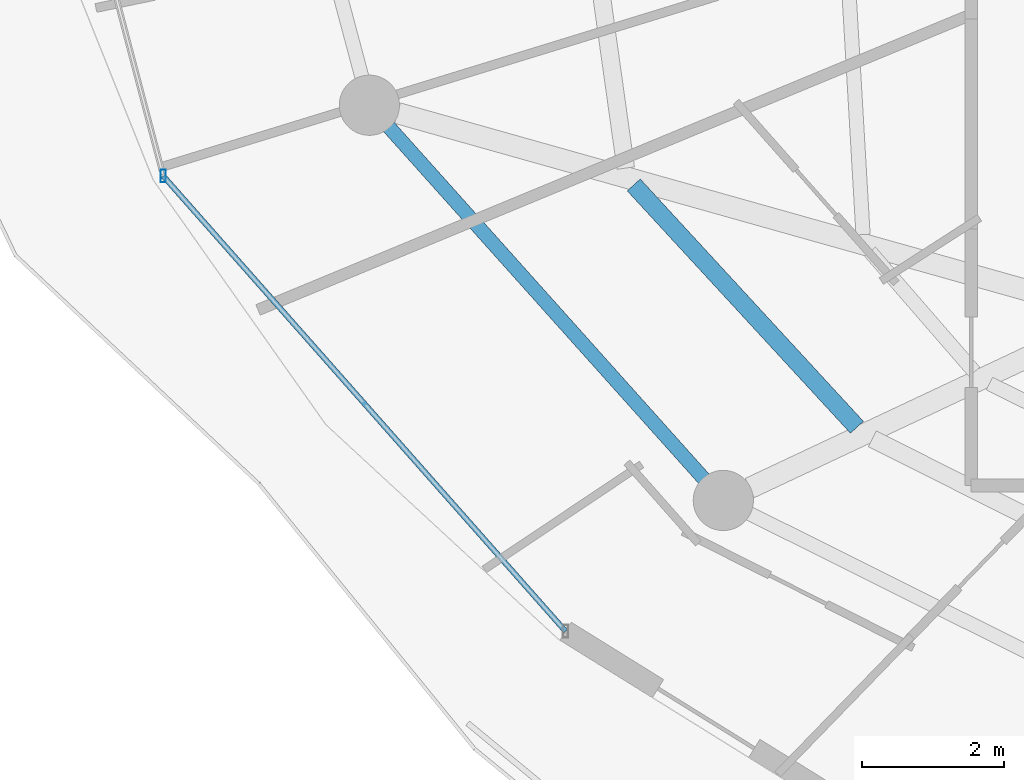
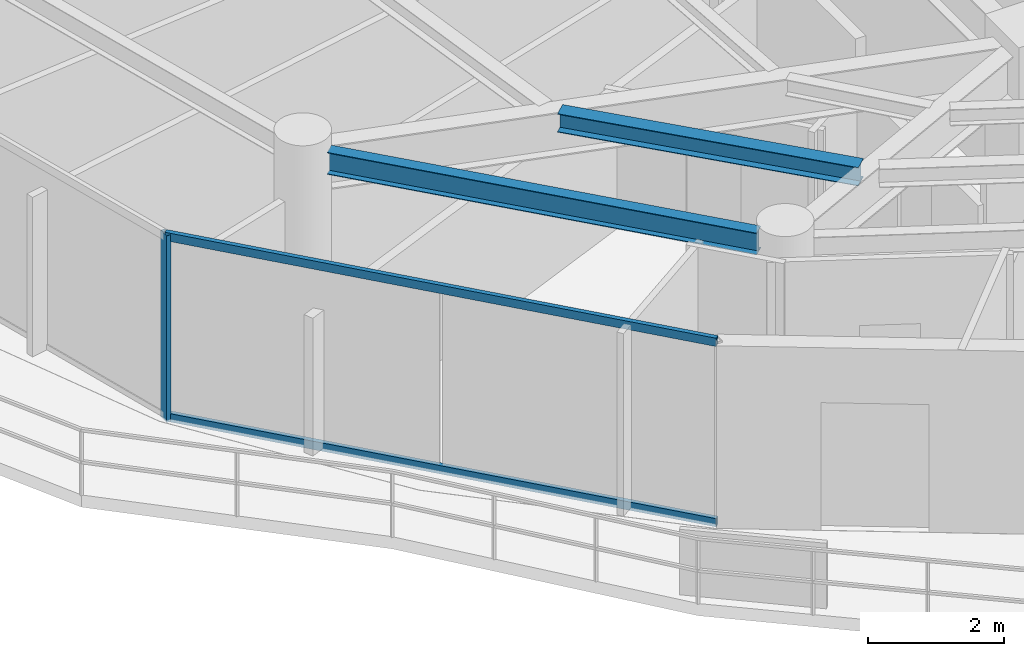
# One storey, part 3 of 32: 3 members, 2 beams, 1 element without a shape of its own.
"""IFC4 building model written with IfcOpenShell, lengths in metres."""

from ifc_helpers import new_model, si_unit, direction, frame, origin, origin_2d, place, context, subcontext, project, spatial, hollow_rectangle, i_section, extrude, material, material_profile, profile_set, type_object, element, aggregate, save


model = new_model("IFC4")

# Units and contexts
model_context = context("Model", 3, precision=1e-05, world=origin(), true_north=direction((0.0, 1.0)))
body_context = subcontext(model_context, "Body", "Model", "MODEL_VIEW")
ifc_project = project(units=[si_unit("LENGTHUNIT", "METRE"), si_unit("AREAUNIT", "SQUARE_METRE"), si_unit("VOLUMEUNIT", "CUBIC_METRE"), si_unit("PLANEANGLEUNIT", "RADIAN"), si_unit("MASSUNIT", "GRAM", prefix="KILO")], contexts=[model_context])

# Site, building, storey
site_placement = place(None, origin())
site = spatial("IfcSite", under=ifc_project, at=site_placement, CompositionType="ELEMENT")
building_placement = place(site_placement, origin())
building = spatial("IfcBuilding", under=site, at=building_placement, Name="Vorneva Point Tower", CompositionType="ELEMENT")
storey_placement = place(building_placement, frame((0.0, 0.0, 269.75)))
storey = spatial("IfcBuildingStorey", under=building, at=storey_placement, Name="L73", CompositionType="ELEMENT", Elevation=269.75)

# Beams
ifc_material_1 = material(Name="Steel S355", Category="steel")
ifc_material_profile_1 = material_profile(ifc_material_1, i_section(OverallWidth=0.2490234375, OverallDepth=0.333984375, WebThickness=0.008056640625, FlangeThickness=0.010986328125, at=origin_2d()), Name="35Sh1")
ifc_profile_set_1 = profile_set([ifc_material_profile_1], Name="Steel S355")
beam_type_1 = type_object("IfcBeamType", Name="BM-SEC-35Sh1", PredefinedType="BEAM", material=ifc_profile_set_1)
beam_1_placement = place(storey_placement, frame((20.4365234375, 18.292236328125, 3.123046875), z_axis=(0.677510132228, -0.735513440209, 0.0), x_axis=(0.735513440209, 0.677510132228, 0.0)))
element("IfcBeam", 1, at=beam_1_placement, inside=storey, type_object=beam_type_1, Name="L73 Secondary Floor Beam 1.10", PredefinedType="BEAM", context=body_context, shape_type="SweptSolid", body=[
    extrude(i_section(OverallWidth=0.2490234375, OverallDepth=0.333984375, WebThickness=0.008056640625, FlangeThickness=0.010986328125, at=origin_2d()), origin(), (0.0, 0.0, 1.0), 4.651123046875),
])
ifc_material_profile_2 = material_profile(ifc_material_1, i_section(OverallWidth=0.198974609375, OverallDepth=0.39599609375, WebThickness=0.007080078125, FlangeThickness=0.010986328125, at=origin_2d()), Name="40B1")
ifc_profile_set_2 = profile_set([ifc_material_profile_2], Name="Steel S355")
beam_type_2 = type_object("IfcBeamType", Name="BM-SPN-40B1", PredefinedType="SPANDREL", material=ifc_profile_set_2)
beam_2_placement = place(storey_placement, frame((16.97802734375, 19.1123046875, 3.092041015625), z_axis=(0.667108282638, -0.744960763554, 0.0), x_axis=(0.744960763554, 0.667108282638, 0.0)))
element("IfcBeam", 2, at=beam_2_placement, inside=storey, type_object=beam_type_2, Name="L73 Perimeter Spandrel Ring Beam 10", PredefinedType="SPANDREL", context=body_context, shape_type="SweptSolid", body=[
    extrude(i_section(OverallWidth=0.198974609375, OverallDepth=0.39599609375, WebThickness=0.007080078125, FlangeThickness=0.010986328125, at=origin_2d()), origin(), (0.0, 0.0, 1.0), 6.670166015625),
])

# Curtain wall, members
ifc_material_2 = material(Name="Pale anodised aluminium", Category="aluminium")
curtain_wall_type = type_object("IfcCurtainWallType", Name="CW-RES-SYS", PredefinedType="NOTDEFINED", material=ifc_material_2)
curtain_wall_placement = place(storey_placement, origin())
curtain_wall = element("IfcCurtainWall", 3, at=curtain_wall_placement, inside=storey, type_object=curtain_wall_type, Name="L73 Unitised Curtain Wall CW-L73-R03", PredefinedType="NOTDEFINED")
ifc_material_profile_3 = material_profile(ifc_material_2, hollow_rectangle(XDim=0.074951171875, YDim=0.179931640625, WallThickness=0.00390625, at=origin_2d()), Name="AL-MUL 180x75x4")
ifc_profile_set_3 = profile_set([ifc_material_profile_3], Name="Pale anodised aluminium")
member_type_1 = type_object("IfcMemberType", Name="CW-MUL-180", PredefinedType="MULLION", material=ifc_profile_set_3)
member_1_placement = place(storey_placement, frame((13.79443359375, 18.4189453125, -0.0400390625), z_axis=(0.0, 0.0, 1.0), x_axis=(1.0, 0.0, 0.0)))
member_1 = element("IfcMember", 4, at=member_1_placement, type_object=member_type_1, Name="CW-L73-R03 Mullion 04", PredefinedType="MULLION", context=body_context, shape_type="SweptSolid", body=[
    extrude(hollow_rectangle(XDim=0.074951171875, YDim=0.179931640625, WallThickness=0.00390625, at=origin_2d()), origin(), (0.0, 0.0, 1.0), 3.360107421875),
])
ifc_material_profile_4 = material_profile(ifc_material_2, hollow_rectangle(XDim=0.074951171875, YDim=0.14990234375, WallThickness=0.00390625, at=origin_2d()), Name="AL-TRN 150x75x4")
ifc_profile_set_4 = profile_set([ifc_material_profile_4], Name="Pale anodised aluminium")
member_type_2 = type_object("IfcMemberType", Name="CW-TRN-150", PredefinedType="USERDEFINED", material=ifc_profile_set_4)
member_2_placement = place(storey_placement, frame((13.79443359375, 18.4189453125, 0.02001953125), z_axis=(0.662196681357, -0.74933007093, 0.0), x_axis=(0.74933007093, 0.662196681357, 0.0)))
member_2 = element("IfcMember", 5, at=member_2_placement, type_object=member_type_2, Name="CW-L73-R03 Transom 04.1", ObjectType="TRANSOM", PredefinedType="USERDEFINED", context=body_context, shape_type="SweptSolid", body=[
    extrude(hollow_rectangle(XDim=0.074951171875, YDim=0.14990234375, WallThickness=0.00390625, at=origin_2d()), origin(), (0.0, 0.0, 1.0), 8.57666015625),
])
member_3_placement = place(storey_placement, frame((13.79443359375, 18.4189453125, 3.27001953125), z_axis=(0.662196681357, -0.74933007093, 0.0), x_axis=(0.74933007093, 0.662196681357, 0.0)))
member_3 = element("IfcMember", 6, at=member_3_placement, type_object=member_type_2, Name="CW-L73-R03 Transom 04.2", ObjectType="TRANSOM", PredefinedType="USERDEFINED", context=body_context, shape_type="SweptSolid", body=[
    extrude(hollow_rectangle(XDim=0.074951171875, YDim=0.14990234375, WallThickness=0.00390625, at=origin_2d()), origin(), (0.0, 0.0, 1.0), 8.57666015625),
])
aggregate(curtain_wall, [member_1, member_2, member_3])

save(model, "model.ifc")
